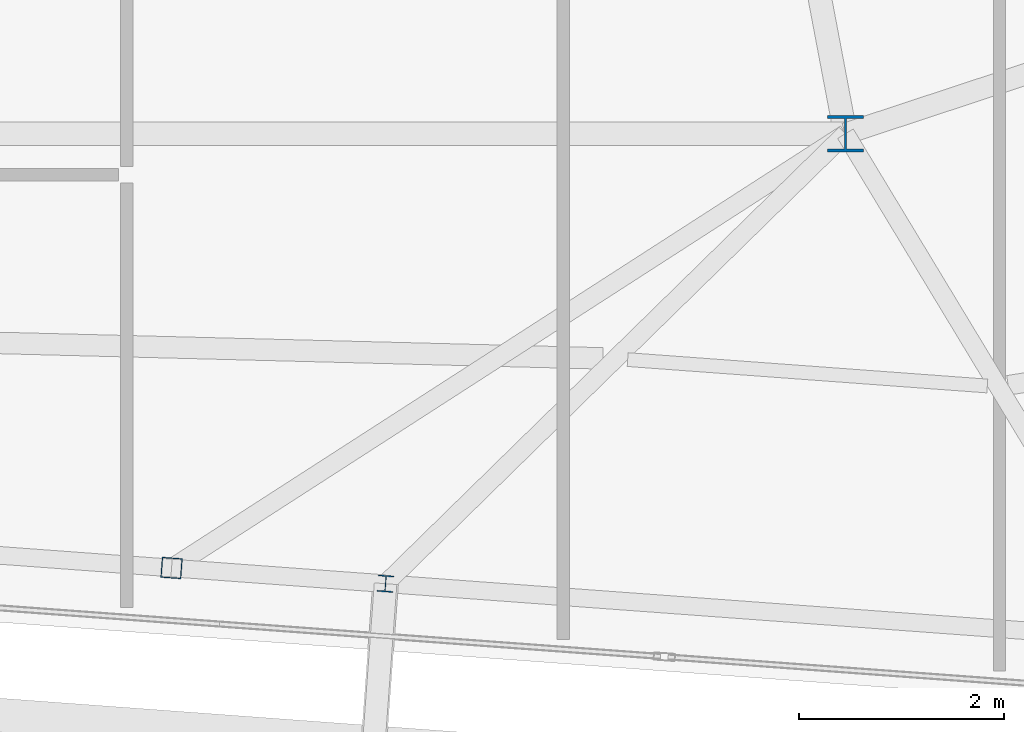
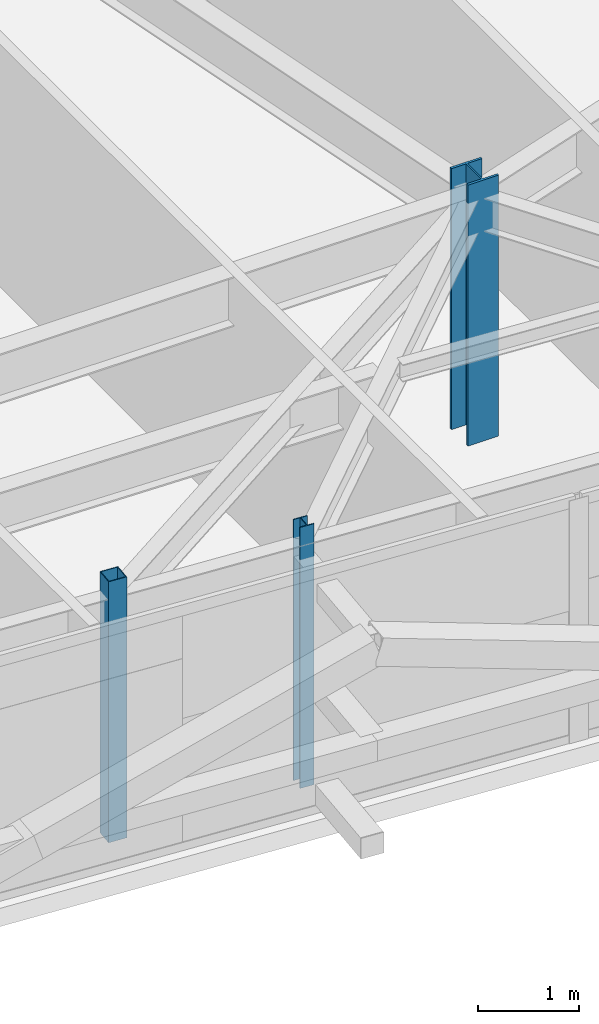
# One storey, part 2 of 34: 3 columns.
"""IFC4 building model written with IfcOpenShell, lengths in metres."""

from ifc_helpers import new_model, si_unit, direction, frame, origin, origin_2d, place, context, subcontext, project, spatial, hollow_rectangle, i_section, extrude, source, transform, mapped, material, material_profile, profile_set, type_object, element, save


model = new_model("IFC4")

# Units and contexts
model_context = context("Model", 3, precision=1e-05, world=origin(), true_north=direction((0.0, 1.0)))
body_context = subcontext(model_context, "Body", "Model", "MODEL_VIEW")
ifc_project = project(units=[si_unit("LENGTHUNIT", "METRE"), si_unit("AREAUNIT", "SQUARE_METRE"), si_unit("VOLUMEUNIT", "CUBIC_METRE"), si_unit("PLANEANGLEUNIT", "RADIAN"), si_unit("MASSUNIT", "GRAM", prefix="KILO")], contexts=[model_context])

# Site, building, storey
site_placement = place(None, origin())
site = spatial("IfcSite", under=ifc_project, at=site_placement, CompositionType="ELEMENT")
building_placement = place(site_placement, origin())
building = spatial("IfcBuilding", under=site, at=building_placement, Name="Taldren Reach Tower", CompositionType="ELEMENT")
storey_placement = place(building_placement, frame((0.0, 0.0, 242.89990234375)))
storey = spatial("IfcBuildingStorey", under=building, at=storey_placement, Name="L74", CompositionType="ELEMENT", Elevation=242.89990234375)

# Columns
ifc_material_1 = material(Name="Steel Gr 350 (350PLUS)", Category="steel")
ifc_material_profile_1 = material_profile(ifc_material_1, i_section(OverallWidth=0.35009765625, OverallDepth=0.35595703125, WebThickness=0.01806640625, FlangeThickness=0.028076171875, at=origin_2d()), Name="350WC197")
ifc_profile_set_1 = profile_set([ifc_material_profile_1], Name="Steel Gr 350 (350PLUS)")
column_type_1 = type_object("IfcColumnType", Name="COL-WC350", PredefinedType="COLUMN", material=ifc_profile_set_1)
shared_shape_1 = source(origin(), body_context, "Body", "SweptSolid", [
    extrude(i_section(OverallWidth=0.35009765625, OverallDepth=0.35595703125, WebThickness=0.01806640625, FlangeThickness=0.028076171875, at=origin_2d()), origin(), (0.0, 0.0, 1.0), 3.150146484375),
])
column_1_placement = place(storey_placement, frame((42.0, 9.199951171875, 0.0), z_axis=(0.0, 0.0, 1.0), x_axis=(1.0, 0.0, 0.0)))
element("IfcColumn", 1, at=column_1_placement, inside=storey, type_object=column_type_1, Name="Mega column MC-PJE L74", PredefinedType="COLUMN", context=body_context, shape_type="MappedRepresentation", body=[
    mapped(shared_shape_1, transform((0.0, 0.0, 0.0), scale=1.0)),
])
ifc_material_2 = material(Name="Steel Gr 350 (C350L0)", Category="steel")
ifc_material_profile_2 = material_profile(ifc_material_2, hollow_rectangle(XDim=0.199951171875, YDim=0.199951171875, WallThickness=0.009033203125, at=origin_2d()), Name="200x200x9.0SHS")
ifc_profile_set_2 = profile_set([ifc_material_profile_2], Name="Steel Gr 350 (C350L0)")
column_type_2 = type_object("IfcColumnType", Name="COL-SHS200", PredefinedType="COLUMN", material=ifc_profile_set_2)
shared_shape_2 = source(origin(), body_context, "Body", "SweptSolid", [
    extrude(hollow_rectangle(XDim=0.199951171875, YDim=0.199951171875, WallThickness=0.009033203125, at=origin_2d()), origin(), (0.0, 0.0, 1.0), 3.150146484375),
])
column_2_placement = place(storey_placement, frame((35.43603515625, 4.9697265625, 0.0), z_axis=(0.0, 0.0, 1.0), x_axis=(0.997314477224, -0.073238197128, 0.0)))
element("IfcColumn", 2, at=column_2_placement, inside=storey, type_object=column_type_2, Name="Block B5 perimeter column PJ2 L74", PredefinedType="COLUMN", context=body_context, shape_type="MappedRepresentation", body=[
    mapped(shared_shape_2, transform((0.0, 0.0, 0.0), scale=1.0)),
])
ifc_material_profile_3 = material_profile(ifc_material_1, i_section(OverallWidth=0.154052734375, OverallDepth=0.162109375, WebThickness=0.008056640625, FlangeThickness=0.011474609375, at=origin_2d()), Name="150UC37.2")
ifc_profile_set_3 = profile_set([ifc_material_profile_3], Name="Steel Gr 350 (350PLUS)")
column_type_3 = type_object("IfcColumnType", Name="COL-UC150", PredefinedType="COLUMN", material=ifc_profile_set_3)
shared_shape_3 = source(origin(), body_context, "Body", "SweptSolid", [
    extrude(i_section(OverallWidth=0.154052734375, OverallDepth=0.162109375, WebThickness=0.008056640625, FlangeThickness=0.011474609375, at=origin_2d()), origin(), (0.0, 0.0, 1.0), 3.150146484375),
])
column_3_placement = place(storey_placement, frame((37.5205078125, 4.81689453125, 0.0), z_axis=(0.0, 0.0, 1.0), x_axis=(0.997314477224, -0.073238197128, 0.0)))
element("IfcColumn", 3, at=column_3_placement, inside=storey, type_object=column_type_3, Name="Block B5 perimeter column S4 L74", PredefinedType="COLUMN", context=body_context, shape_type="MappedRepresentation", body=[
    mapped(shared_shape_3, transform((0.0, 0.0, 0.0), scale=1.0)),
])

save(model, "model.ifc")
